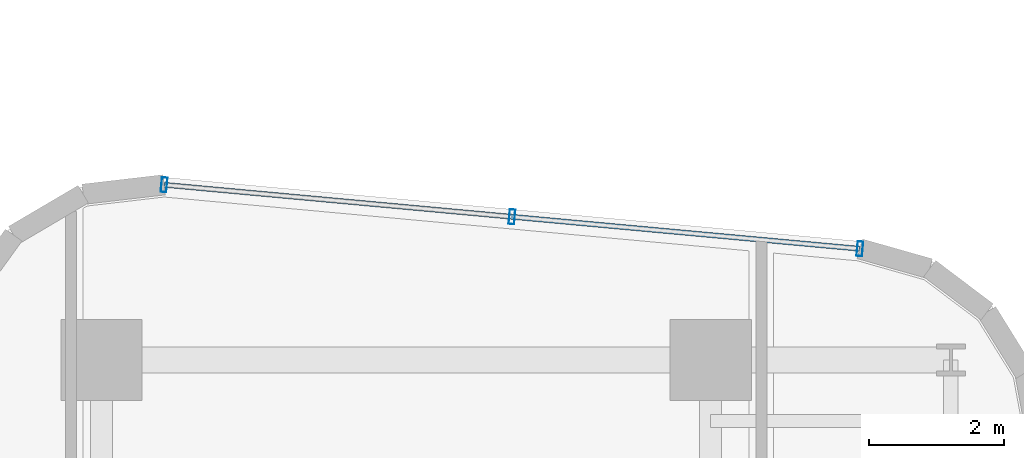
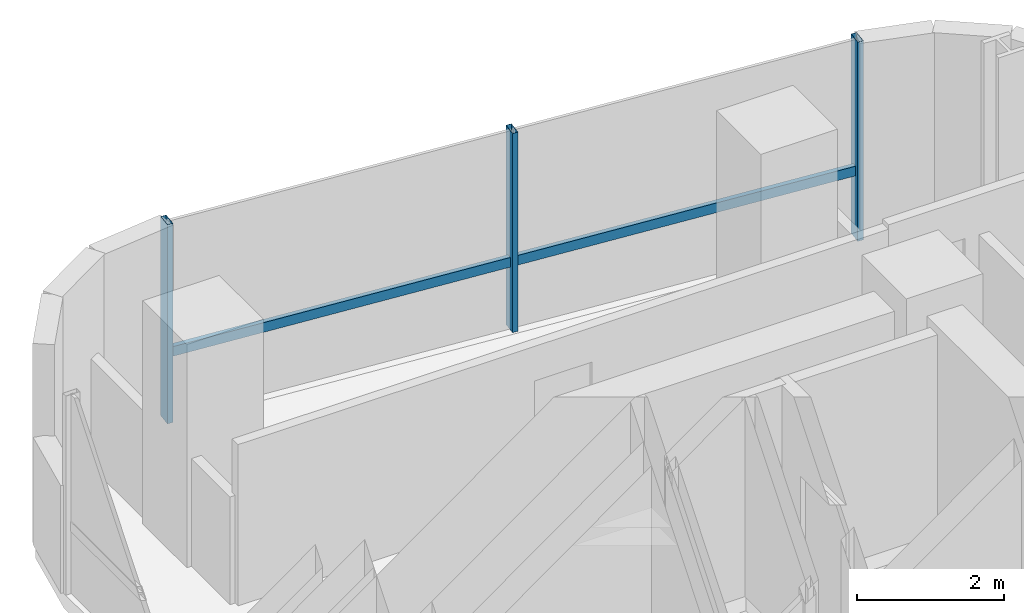
# One storey, part 23 of 35: 4 members, 1 element without a shape of its own.
"""IFC4 building model written with IfcOpenShell, lengths in metres."""

import ifcopenshell
import ifcopenshell.guid

model = None  # the IFC model being written
_history = None  # IfcOwnerHistory: only IFC2X3 demands one
_inside = {}  # id of a spatial element -> (the spatial element, [elements in it])
_under = {}  # id of a project, library or spatial element -> (it, [spatial elements below it])
_declared = {}  # id of a project -> (the project, [libraries it declares])
_typed = {}  # id of a type object -> (the type object, [elements of that type])
_made_of = {}  # id of a material, layer set ... -> (it, [elements and type objects made of it])


def new_model(schema):
    """Start an empty IFC model of exactly this schema.

    Asked for "IFC4X3", IfcOpenShell would pick the latest addendum, in which some entities
    have other attributes; the version numbers below select the first issue.
    IFC2X3 requires an IfcOwnerHistory on every rooted entity: one is made here for all.
    """
    global model, _history
    if schema == "IFC4X3":
        model = ifcopenshell.file(schema_version=(4, 3, 0, 0))
    else:
        model = ifcopenshell.file(schema=schema)
    _inside.clear()
    _under.clear()
    _declared.clear()
    _typed.clear()
    _made_of.clear()
    _history = None
    if model.schema == "IFC2X3":
        org = make("IfcOrganization", Name="unknown")
        user = make(
            "IfcPersonAndOrganization",
            ThePerson=make("IfcPerson", FamilyName="unknown"),
            TheOrganization=org,
        )
        app = make(
            "IfcApplication",
            ApplicationDeveloper=org,
            Version="unknown",
            ApplicationFullName="unknown",
            ApplicationIdentifier="unknown",
        )
        _history = make(
            "IfcOwnerHistory",
            OwningUser=user,
            OwningApplication=app,
            ChangeAction="ADDED",
            CreationDate=0,
        )
    return model


def make(cls, **values):
    """One entity of the class cls with the attributes given. An attribute that is None is left unset."""
    return model.create_entity(
        cls, **{name: value for name, value in values.items() if value is not None}
    )


def rooted(cls, **values):
    """An entity with a GlobalId (a new one), such as an element, a storey or a relation."""
    return make(cls, GlobalId=ifcopenshell.guid.new(), OwnerHistory=_history, **values)


def si_unit(unit_type, name, prefix=None):
    """IfcSIUnit, for example si_unit("LENGTHUNIT", "METRE", prefix="MILLI")."""
    return make("IfcSIUnit", UnitType=unit_type, Prefix=prefix, Name=name)


def assignment(units):
    """IfcUnitAssignment: the units of a project."""
    return None if units is None else make("IfcUnitAssignment", Units=units)


def point(xyz):
    """IfcCartesianPoint."""
    return None if xyz is None else make("IfcCartesianPoint", Coordinates=xyz)


def direction(xyz):
    """IfcDirection."""
    return None if xyz is None else make("IfcDirection", DirectionRatios=xyz)


def frame(location, z_axis=None, x_axis=None):
    """IfcAxis2Placement3D, a coordinate frame: its origin and axes. An axis left out is left unset."""
    return make(
        "IfcAxis2Placement3D",
        Location=point(location),
        Axis=direction(z_axis),
        RefDirection=direction(x_axis),
    )


def frame_2d(location, x_axis=None):
    """IfcAxis2Placement2D, a coordinate frame in the plane: its origin and x axis."""
    return make(
        "IfcAxis2Placement2D", Location=point(location), RefDirection=direction(x_axis)
    )


def origin():
    """The frame at (0, 0, 0) with its axes left unset."""
    return frame((0.0, 0.0, 0.0))


def origin_2d():
    """The frame at (0, 0) in the plane with its x axis left unset."""
    return frame_2d((0.0, 0.0))


def place(relative_to, where):
    """IfcLocalPlacement: puts the frame where relative to a parent placement (None: the world)."""
    return make(
        "IfcLocalPlacement", PlacementRelTo=relative_to, RelativePlacement=where
    )


def context(
    kind, dimensions, precision=None, world=None, true_north=None, identifier=None
):
    """IfcGeometricRepresentationContext, for example the 3D "Model" context."""
    return make(
        "IfcGeometricRepresentationContext",
        ContextIdentifier=identifier,
        ContextType=kind,
        CoordinateSpaceDimension=dimensions,
        Precision=precision,
        WorldCoordinateSystem=world,
        TrueNorth=true_north,
    )


def subcontext(parent, identifier, kind, view, scale=None):
    """IfcGeometricRepresentationSubContext, for example "Body" below "Model"."""
    return make(
        "IfcGeometricRepresentationSubContext",
        ContextIdentifier=identifier,
        ContextType=kind,
        ParentContext=parent,
        TargetScale=scale,
        TargetView=view,
    )


def project(units=None, contexts=None):
    """IfcProject with its units and contexts."""
    return rooted(
        "IfcProject",
        Name="project",
        RepresentationContexts=contexts,
        UnitsInContext=assignment(units),
    )


def spatial(cls, under=None, at=None, **own):
    """A site, building, storey or space (cls), placed at a placement, below another one or the project."""
    s = rooted(cls, ObjectPlacement=at, **own)
    if under is not None:
        _under.setdefault(under.id(), (under, []))[1].append(s)
    return s


def profile(cls, at=None, kind="AREA", **sizes):
    """A parametric profile (cls). Its sizes go by their IFC names, for example OverallWidth=200.0."""
    return make(cls, ProfileType=kind, Position=at, **sizes)


def hollow_rectangle(**sizes):
    """IfcRectangleHollowProfileDef."""
    return profile("IfcRectangleHollowProfileDef", **sizes)


def extrude(swept, where, along, depth):
    """IfcExtrudedAreaSolid: the profile swept, set in the frame where, extruded along a direction by depth."""
    return make(
        "IfcExtrudedAreaSolid",
        SweptArea=swept,
        Position=where,
        ExtrudedDirection=direction(along),
        Depth=depth,
    )


def shape(context_of_items, identifier, shape_type, items):
    """IfcShapeRepresentation: the items that make up one representation, for example the "Body"."""
    return make(
        "IfcShapeRepresentation",
        ContextOfItems=context_of_items,
        RepresentationIdentifier=identifier,
        RepresentationType=shape_type,
        Items=items,
    )


def source(mapping_origin, context_of_items, identifier, shape_type, items):
    """IfcRepresentationMap: a shape defined once, which mapped items show again and again."""
    return make(
        "IfcRepresentationMap",
        MappingOrigin=mapping_origin,
        MappedRepresentation=shape(context_of_items, identifier, shape_type, items),
    )


def transform(
    local_origin,
    x_axis=None,
    y_axis=None,
    z_axis=None,
    scale=None,
    scale2=None,
    scale3=None,
    uniform=True,
):
    """IfcCartesianTransformationOperator3D, or its non-uniform kind. x_axis, y_axis, z_axis: its Axis1, 2, 3."""
    if uniform:
        return make(
            "IfcCartesianTransformationOperator3D",
            Axis1=direction(x_axis),
            Axis2=direction(y_axis),
            LocalOrigin=point(local_origin),
            Scale=scale,
            Axis3=direction(z_axis),
        )
    return make(
        "IfcCartesianTransformationOperator3DnonUniform",
        Axis1=direction(x_axis),
        Axis2=direction(y_axis),
        LocalOrigin=point(local_origin),
        Scale=scale,
        Axis3=direction(z_axis),
        Scale2=scale2,
        Scale3=scale3,
    )


def mapped(mapping_source, mapping_target):
    """IfcMappedItem: shows the shape of a source again, moved by a transform."""
    return make(
        "IfcMappedItem", MappingSource=mapping_source, MappingTarget=mapping_target
    )


def material(Name=None, Category=None):
    """IfcMaterial."""
    return make("IfcMaterial", Name=Name, Category=Category)


def material_profile(
    of_material, cross_section, Name=None, Category=None, Priority=None
):
    """IfcMaterialProfile: a cross section and its material."""
    return make(
        "IfcMaterialProfile",
        Name=Name,
        Material=of_material,
        Profile=cross_section,
        Priority=Priority,
        Category=Category,
    )


def profile_set(profiles, Name=None, composite=None):
    """IfcMaterialProfileSet."""
    return make(
        "IfcMaterialProfileSet",
        Name=Name,
        MaterialProfiles=profiles,
        CompositeProfile=composite,
    )


def made_of(thing, what):
    """Note that an element or type object is made of a material, layer set ...; save() writes the relation."""
    if what is not None:
        _made_of.setdefault(what.id(), (what, []))[1].append(thing)
    return thing


def type_object(cls, material=None, **own):
    """A type object (cls), such as IfcWallType, which elements share."""
    return made_of(rooted(cls, **own), material)


def element(
    cls,
    number,
    at=None,
    inside=None,
    cuts=None,
    type_object=None,
    material=None,
    context=None,
    identifier="Body",
    shape_type=None,
    held_by="IfcProductDefinitionShape",
    body=None,
    shapes=None,
    **own,
):
    """One element of the class cls, such as IfcWall. Its Tag is "e" and its number.

    at: its placement. inside: the storey or other place that contains it. cuts: it is an
    opening in that element (IfcRelVoidsElement). A single representation is given by context,
    identifier, shape_type and body (its items); several are given by shapes. held_by: the class
    of the entity that holds the representations. save() writes the other relations.
    """
    e = rooted(cls, Tag="e%d" % number, ObjectPlacement=at, **own)
    if body is not None:
        shapes = [shape(context, identifier, shape_type, body)]
    if shapes is not None:
        e.Representation = make(held_by, Representations=shapes)
    if inside is not None:
        _inside.setdefault(inside.id(), (inside, []))[1].append(e)
    if cuts is not None:
        rooted(
            "IfcRelVoidsElement", RelatingBuildingElement=cuts, RelatedOpeningElement=e
        )
    if type_object is not None:
        _typed.setdefault(type_object.id(), (type_object, []))[1].append(e)
    return made_of(e, material)


def aggregate(whole, parts):
    """IfcRelAggregates: a whole, such as a stair, and the parts it consists of."""
    return rooted("IfcRelAggregates", RelatingObject=whole, RelatedObjects=parts)


def save(model, path):
    """Write the relations noted so far, then the file.

    IfcRelAggregates (storeys below a building ...), IfcRelContainedInSpatialStructure (elements
    in a storey), IfcRelDefinesByType, IfcRelAssociatesMaterial and IfcRelDeclares: one each for
    every whole, place, type object, material and project.
    """
    for whole, parts in _under.values():
        aggregate(whole, parts)
    for where, things in _inside.values():
        rooted(
            "IfcRelContainedInSpatialStructure",
            RelatedElements=things,
            RelatingStructure=where,
        )
    for kind, things in _typed.values():
        rooted("IfcRelDefinesByType", RelatedObjects=things, RelatingType=kind)
    for what, things in _made_of.values():
        rooted("IfcRelAssociatesMaterial", RelatedObjects=things, RelatingMaterial=what)
    for by, libraries in _declared.values():
        rooted("IfcRelDeclares", RelatingContext=by, RelatedDefinitions=libraries)
    model.write(path)


model = new_model("IFC4")

# Units and contexts
model_context = context("Model", 3, precision=1e-05, world=origin(), true_north=direction((0.0, 1.0)))
body_context = subcontext(model_context, "Body", "Model", "MODEL_VIEW")
ifc_project = project(units=[si_unit("LENGTHUNIT", "METRE"), si_unit("AREAUNIT", "SQUARE_METRE"), si_unit("VOLUMEUNIT", "CUBIC_METRE"), si_unit("PLANEANGLEUNIT", "RADIAN"), si_unit("MASSUNIT", "GRAM", prefix="KILO")], contexts=[model_context])

# Site, building, storey
site_placement = place(None, origin())
site = spatial("IfcSite", under=ifc_project, at=site_placement, CompositionType="ELEMENT")
building_placement = place(site_placement, origin())
building = spatial("IfcBuilding", under=site, at=building_placement, Name="Valdorenza Pilgrim Sanctuary Tower", CompositionType="ELEMENT")
storey_placement = place(building_placement, frame((0.0, 0.0, 168.60009765625)))
storey = spatial("IfcBuildingStorey", under=building, at=storey_placement, Name="L43", CompositionType="ELEMENT", Elevation=168.60009765625)

# Curtain wall, members
ifc_material_1 = material(Name="Curtain-wall IGU glazing", Category="glass")
curtain_wall_type = type_object("IfcCurtainWallType", Name="CW-SYS-03", PredefinedType="NOTDEFINED", material=ifc_material_1)
curtain_wall_placement = place(storey_placement, origin())
curtain_wall = element("IfcCurtainWall", 1, at=curtain_wall_placement, inside=storey, type_object=curtain_wall_type, Name="L43 Curtain Wall CW-L43-2-6", PredefinedType="NOTDEFINED")
ifc_material_2 = material(Name="Anodised aluminium AW-6060", Category="aluminium")
ifc_material_profile_1 = material_profile(ifc_material_2, hollow_rectangle(XDim=0.074951171875, YDim=0.159912109375, WallThickness=0.00390625, at=origin_2d()), Name="ALU-T 160x75x4")
ifc_profile_set_1 = profile_set([ifc_material_profile_1], Name="Anodised aluminium AW-6060")
member_type_1 = type_object("IfcMemberType", Name="CW-TRN-03", PredefinedType="USERDEFINED", material=ifc_profile_set_1)
shared_shape_1 = source(origin(), body_context, "Body", "SweptSolid", [
    extrude(hollow_rectangle(XDim=0.074951171875, YDim=0.159912109375, WallThickness=0.00390625, at=origin_2d()), origin(), (0.0, 0.0, 1.0), 10.322021484375),
])
member_1_placement = place(storey_placement, frame((16.776123046875, 16.087890625, 1.119873046875), z_axis=(0.995793148807, -0.091629715648, 0.0), x_axis=(0.091629715648, 0.995793148807, 0.0)))
member_1 = element("IfcMember", 2, at=member_1_placement, type_object=member_type_1, Name="CW-L43-2-6 Transom 1", ObjectType="TRANSOM", PredefinedType="USERDEFINED", context=body_context, shape_type="MappedRepresentation", body=[
    mapped(shared_shape_1, transform((0.0, 0.0, 0.0), x_axis=(1.0, 0.0, 0.0), y_axis=(0.0, 1.0, 0.0), z_axis=(0.0, 0.0, 1.0), scale=1.0)),
])
ifc_material_profile_2 = material_profile(ifc_material_2, hollow_rectangle(XDim=0.0849609375, YDim=0.219970703125, WallThickness=0.0048828125, at=origin_2d()), Name="ALU-M 220x85x5")
ifc_profile_set_2 = profile_set([ifc_material_profile_2], Name="Anodised aluminium AW-6060")
member_type_2 = type_object("IfcMemberType", Name="CW-MUL-03", PredefinedType="MULLION", material=ifc_profile_set_2)
shared_shape_2 = source(origin(), body_context, "Body", "SweptSolid", [
    extrude(hollow_rectangle(XDim=0.0849609375, YDim=0.219970703125, WallThickness=0.0048828125, at=origin_2d()), origin(), (0.0, 0.0, 1.0), 3.2998046875),
])
member_2_placement = place(storey_placement, frame((16.776123046875, 16.087890625, 0.0), z_axis=(0.0, 0.0, 1.0), x_axis=(0.995793741111, -0.091623278503, 0.0)))
member_2 = element("IfcMember", 3, at=member_2_placement, type_object=member_type_2, Name="CW-L43-2-6 Mullion 1", PredefinedType="MULLION", context=body_context, shape_type="MappedRepresentation", body=[
    mapped(shared_shape_2, transform((0.0, 0.0, 0.0), x_axis=(1.0, 0.0, 0.0), y_axis=(0.0, 1.0, 0.0), z_axis=(0.0, 0.0, 1.0), scale=1.0)),
])
member_3_placement = place(storey_placement, frame((21.915283203125, 15.614990234375, 0.0), z_axis=(0.0, 0.0, 1.0), x_axis=(0.995793741111, -0.091623278503, 0.0)))
member_3 = element("IfcMember", 4, at=member_3_placement, type_object=member_type_2, Name="CW-L43-2-6 Mullion 2", PredefinedType="MULLION", context=body_context, shape_type="MappedRepresentation", body=[
    mapped(shared_shape_2, transform((0.0, 0.0, 0.0), x_axis=(1.0, 0.0, 0.0), y_axis=(0.0, 1.0, 0.0), z_axis=(0.0, 0.0, 1.0), scale=1.0)),
])
member_4_placement = place(storey_placement, frame((27.0546875, 15.14208984375, 0.0), z_axis=(0.0, 0.0, 1.0), x_axis=(0.995793741111, -0.091623278503, 0.0)))
member_4 = element("IfcMember", 5, at=member_4_placement, type_object=member_type_2, Name="CW-L43-2-6 Mullion 3", PredefinedType="MULLION", context=body_context, shape_type="MappedRepresentation", body=[
    mapped(shared_shape_2, transform((0.0, 0.0, 0.0), x_axis=(1.0, 0.0, 0.0), y_axis=(0.0, 1.0, 0.0), z_axis=(0.0, 0.0, 1.0), scale=1.0)),
])
aggregate(curtain_wall, [member_2, member_3, member_4, member_1])

save(model, "model.ifc")
